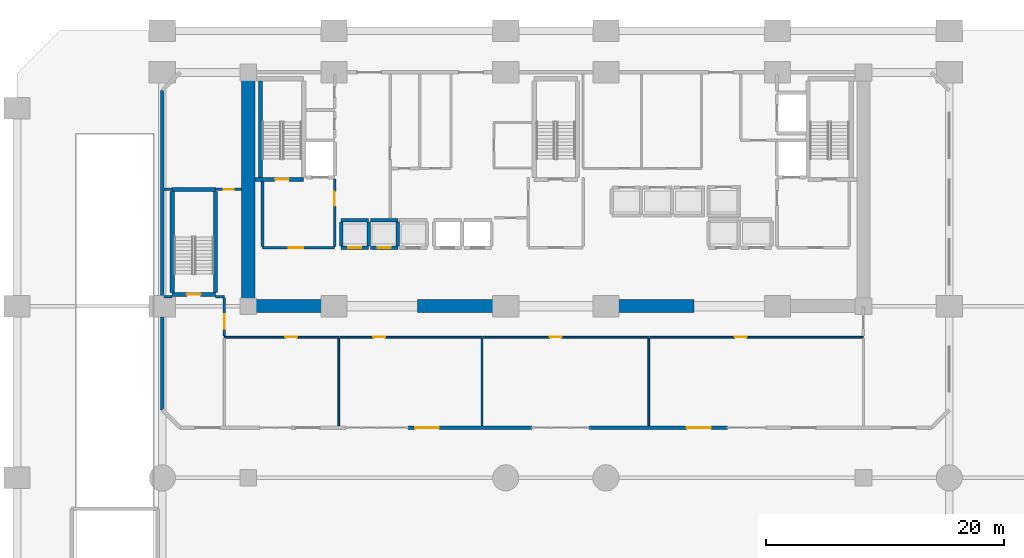
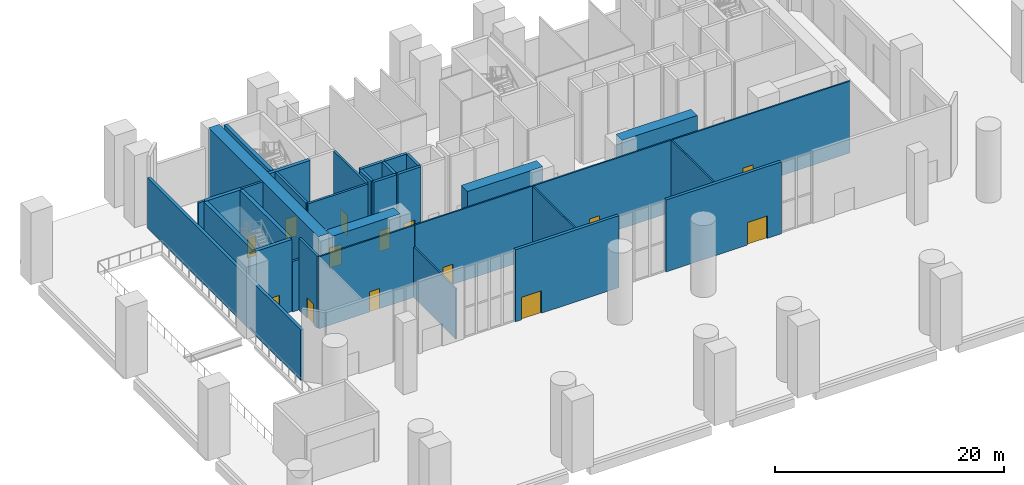
# One storey, part 10 of 17: 35 walls, 14 doors, 14 openings.
"""IFC4 building model written with IfcOpenShell, lengths in metres."""

from ifc_helpers import new_model, si_unit, direction, frame, frame_2d, origin, place, context, subcontext, project, spatial, rectangle, extrude, material, layer, layer_set, type_object, element, fill, save


model = new_model("IFC4")

# Units and contexts
model_context = context("Model", 3, precision=1e-05, world=origin(), true_north=direction((0.0, 1.0)))
body_context = subcontext(model_context, "Body", "Model", "MODEL_VIEW")
ifc_project = project(units=[si_unit("LENGTHUNIT", "METRE"), si_unit("AREAUNIT", "SQUARE_METRE"), si_unit("VOLUMEUNIT", "CUBIC_METRE"), si_unit("PLANEANGLEUNIT", "RADIAN"), si_unit("MASSUNIT", "GRAM", prefix="KILO")], contexts=[model_context])

# Site, building, storey
site_placement = place(None, origin())
site = spatial("IfcSite", under=ifc_project, at=site_placement, CompositionType="ELEMENT")
building_placement = place(site_placement, origin())
building = spatial("IfcBuilding", under=site, at=building_placement, Name="Kaelvorn Grand Hotel", CompositionType="ELEMENT")
storey_placement = place(building_placement, origin())
storey = spatial("IfcBuildingStorey", under=building, at=storey_placement, Name="L00", CompositionType="ELEMENT", Elevation=0.0)

# Walls
ifc_material_1 = material(Name="Concrete C80/95", Category="concrete")
ifc_layer_1 = layer(ifc_material_1, 1.10009765625)
ifc_layer_set_1 = layer_set([ifc_layer_1], Name="Concrete C80/95")
wall_type_1 = type_object("IfcWallType", Name="WL-CORE-1100-C80", PredefinedType="SHEAR", material=ifc_layer_set_1)
wall_1_placement = place(storey_placement, frame((16.199951171875, 29.39990234375, 0.0), z_axis=(0.0, 0.0, 1.0), x_axis=(0.0, 1.0, 0.0)))
element("IfcWall", 1, at=wall_1_placement, inside=storey, type_object=wall_type_1, Name="L00 Rear-Core West Shear Wall", PredefinedType="SHEAR", context=body_context, shape_type="SweptSolid", body=[
    extrude(rectangle(XDim=19.2001953125, YDim=1.10009765625, at=frame_2d((9.60009765625, 0.0))), origin(), (0.0, 0.0, 1.0), 7.679931640625),
])
wall_2_placement = place(storey_placement, frame((16.7548828125, 29.39990234375, 0.0), z_axis=(0.0, 0.0, 1.0), x_axis=(1.0, 0.0, 0.0)))
element("IfcWall", 2, at=wall_2_placement, inside=storey, type_object=wall_type_1, Name="L00 Rear-Core Coupled Shear Pier S1", PredefinedType="SHEAR", context=body_context, shape_type="SweptSolid", body=[
    extrude(rectangle(XDim=6.84521484375, YDim=1.10009765625, at=frame_2d((3.422607421875, 0.0))), origin(), (0.0, 0.0, 1.0), 7.679931640625),
])
for number, where, z_axis, x_axis, name in (
    (3, (30.39990234375, 29.39990234375, 0.0), (0.0, 0.0, 1.0), (1.0, 0.0, 0.0), "L00 Rear-Core Coupled Shear Pier S2"),
    (4, (46.0, 29.39990234375, 0.0), (0.0, 0.0, 1.0), (1.0, 0.0, 0.0), "L00 Rear-Core Coupled Shear Pier S3"),
):
    element("IfcWall", number, at=place(storey_placement, frame(where, z_axis=z_axis, x_axis=x_axis)), inside=storey, type_object=wall_type_1, Name=name, PredefinedType="SHEAR", context=body_context, shape_type="SweptSolid", body=[
        extrude(rectangle(XDim=7.60009765625, YDim=1.10009765625, at=frame_2d((3.800048828125, 0.0))), origin(), (0.0, 0.0, 1.0), 7.679931640625),
    ])

# Wall, opening, door
ifc_material_2 = material(Name="Concrete C40/50", Category="concrete")
ifc_layer_2 = layer(ifc_material_2, 0.300048828125)
ifc_layer_set_2 = layer_set([ifc_layer_2], Name="Concrete C40/50")
wall_type_2 = type_object("IfcWallType", Name="WL-EXT-300-C40", PredefinedType="SOLIDWALL", material=ifc_layer_set_2)
wall_3_placement = place(storey_placement, frame((56.405029296875, 19.199951171875, 0.0), z_axis=(0.0, 0.0, 1.0), x_axis=(-1.0, 0.0, 0.0)))
wall_3 = element("IfcWall", 5, at=wall_3_placement, inside=storey, type_object=wall_type_2, Name="L00 Ground Arrival Hall Exterior Wall 01 Pier 2", PredefinedType="SOLIDWALL", context=body_context, shape_type="SweptSolid", body=[
    extrude(rectangle(XDim=11.610107421875, YDim=0.300048828125, at=frame_2d((5.80517578125, 0.0))), origin(), (0.0, 0.0, 1.0), 7.679931640625),
])
opening_1_placement = place(wall_3_placement, frame((1.405029296875, 0.0, 0.0)))
opening_1 = element("IfcOpeningElement", 6, at=opening_1_placement, cuts=wall_3, Name="Opening DE1", PredefinedType="OPENING", context=body_context, shape_type="SweptSolid", body=[
    extrude(rectangle(XDim=2.0, YDim=2.39990234375, at=frame_2d((1.0, 1.199951171875))), frame((0.0, 0.16015625, 0.0), z_axis=(0.0, -1.0, 0.0), x_axis=(1.0, 0.0, 0.0)), (0.0, 0.0, 1.0), 0.320068359375),
])
ifc_material_3 = material(Name="Anodised Aluminium", Category="aluminium")
door_type_1 = type_object("IfcDoorType", Name="DR-EXT-EXIT-2000x2400", OperationType="DOUBLE_DOOR_SINGLE_SWING", PredefinedType="DOOR", material=ifc_material_3)
door_1_placement = place(opening_1_placement, origin())
door_1 = element("IfcDoor", 7, at=door_1_placement, inside=storey, type_object=door_type_1, Name="L00 Final Pedestrian Exit Double Door DE1-04", OperationType="DOUBLE_DOOR_SINGLE_SWING", OverallHeight=2.39990234375, OverallWidth=2.0, PredefinedType="DOOR", context=body_context, shape_type="SweptSolid", body=[
    extrude(rectangle(XDim=2.0, YDim=2.39990234375, at=frame_2d((1.0, 1.199951171875))), frame((0.0, 0.02490234375, 0.0), z_axis=(0.0, -1.0, 0.0), x_axis=(1.0, 0.0, 0.0)), (0.0, 0.0, 1.0), 0.050048828125),
])
fill(opening_1, door_1)

wall_4_placement = place(storey_placement, frame((40.0048828125, 19.199951171875, 0.0), z_axis=(0.0, 0.0, 1.0), x_axis=(-1.0, 0.0, 0.0)))
wall_4 = element("IfcWall", 8, at=wall_4_placement, inside=storey, type_object=wall_type_2, Name="L00 Ground Arrival Hall Exterior Wall 01 Pier 3", PredefinedType="SOLIDWALL", context=body_context, shape_type="SweptSolid", body=[
    extrude(rectangle(XDim=10.409912109375, YDim=0.300048828125, at=frame_2d((5.205078125, 0.0))), origin(), (0.0, 0.0, 1.0), 7.679931640625),
])
opening_2_placement = place(wall_4_placement, frame((7.804931640625, 0.0, 0.0)))
opening_2 = element("IfcOpeningElement", 9, at=opening_2_placement, cuts=wall_4, Name="Opening DE1", PredefinedType="OPENING", context=body_context, shape_type="SweptSolid", body=[
    extrude(rectangle(XDim=2.0, YDim=2.39990234375, at=frame_2d((1.0, 1.199951171875))), frame((0.0, 0.16015625, 0.0), z_axis=(0.0, -1.0, 0.0), x_axis=(1.0, 0.0, 0.0)), (0.0, 0.0, 1.0), 0.320068359375),
])
door_2_placement = place(opening_2_placement, origin())
door_2 = element("IfcDoor", 10, at=door_2_placement, inside=storey, type_object=door_type_1, Name="L00 Final Pedestrian Exit Double Door DE1-03", OperationType="DOUBLE_DOOR_SINGLE_SWING", OverallHeight=2.39990234375, OverallWidth=2.0, PredefinedType="DOOR", context=body_context, shape_type="SweptSolid", body=[
    extrude(rectangle(XDim=2.0, YDim=2.39990234375, at=frame_2d((1.0, 1.199951171875))), frame((0.0, 0.02490234375, 0.0), z_axis=(0.0, -1.0, 0.0), x_axis=(1.0, 0.0, 0.0)), (0.0, 0.0, 1.0), 0.050048828125),
])
fill(opening_2, door_2)

# Wall
wall_5_placement = place(storey_placement, frame((9.0, 47.5, 0.0), z_axis=(0.0, 0.0, 1.0), x_axis=(0.0, -1.0, 0.0)))
element("IfcWall", 11, at=wall_5_placement, inside=storey, type_object=wall_type_2, Name="L00 Ground Arrival Hall Exterior Wall 07", PredefinedType="SOLIDWALL", context=body_context, shape_type="SweptSolid", body=[
    extrude(rectangle(XDim=26.800048828125, YDim=0.300048828125, at=frame_2d((13.39990234375, 0.0))), origin(), (0.0, 0.0, 1.0), 5.39990234375),
])

# Wall, opening, door
ifc_material_4 = material(Name="Acoustic Gypsum & Stud Partition")
ifc_layer_3 = layer(ifc_material_4, 0.14990234375)
ifc_layer_set_3 = layer_set([ifc_layer_3], Name="Acoustic Gypsum & Stud Partition")
wall_type_3 = type_object("IfcWallType", Name="WL-PART-150-EI60", PredefinedType="PARTITIONING", material=ifc_layer_set_3)
wall_6_placement = place(storey_placement, frame((14.199951171875, 26.800048828125, 0.0), z_axis=(0.0, 0.0, 1.0), x_axis=(1.0, 0.0, 0.0)))
wall_6 = element("IfcWall", 12, at=wall_6_placement, inside=storey, type_object=wall_type_3, Name="L00 Ground Arrival Florist & Gift Boutique N Partition", PredefinedType="PARTITIONING", context=body_context, shape_type="SweptSolid", body=[
    extrude(rectangle(XDim=9.60009765625, YDim=0.14990234375, at=frame_2d((4.800048828125, 0.0))), origin(), (0.0, 0.0, 1.0), 7.679931640625),
])
opening_3_placement = place(wall_6_placement, frame((5.10009765625, 0.0, 0.0)))
opening_3 = element("IfcOpeningElement", 13, at=opening_3_placement, cuts=wall_6, Name="Opening DI3", PredefinedType="OPENING", context=body_context, shape_type="SweptSolid", body=[
    extrude(rectangle(XDim=1.0, YDim=2.14990234375, at=frame_2d((0.5, 1.074951171875))), frame((0.0, 0.0849609375, 0.0), z_axis=(0.0, -1.0, 0.0), x_axis=(1.0, 0.0, 0.0)), (0.0, 0.0, 1.0), 0.169921875),
])
ifc_material_5 = material(Name="Timber Veneer Fire Leaf", Category="wood")
door_type_2 = type_object("IfcDoorType", Name="DR-INT-GUEST-1000x2150", OperationType="NOTDEFINED", PredefinedType="DOOR", material=ifc_material_5)
door_3_placement = place(opening_3_placement, origin())
door_3 = element("IfcDoor", 14, at=door_3_placement, inside=storey, type_object=door_type_2, Name="L00 Ground Arrival Florist & Gift Boutique Door", OperationType="SINGLE_SWING_LEFT", OverallHeight=2.14990234375, OverallWidth=1.0, PredefinedType="DOOR", context=body_context, shape_type="SweptSolid", body=[
    extrude(rectangle(XDim=1.0, YDim=2.14990234375, at=frame_2d((0.5, 1.074951171875))), frame((0.0, 0.02490234375, 0.0), z_axis=(0.0, -1.0, 0.0), x_axis=(1.0, 0.0, 0.0)), (0.0, 0.0, 1.0), 0.050048828125),
])
fill(opening_3, door_3)

# Wall
wall_7_placement = place(storey_placement, frame((23.800048828125, 19.35498046875, 0.0), z_axis=(0.0, 0.0, 1.0), x_axis=(0.0, 1.0, 0.0)))
element("IfcWall", 15, at=wall_7_placement, inside=storey, type_object=wall_type_3, Name="L00 Ground Arrival Florist & Gift Boutique E Partition", PredefinedType="PARTITIONING", context=body_context, shape_type="SweptSolid", body=[
    extrude(rectangle(XDim=7.364990234375, YDim=0.14990234375, at=frame_2d((3.6826171875, 0.0))), origin(), (0.0, 0.0, 1.0), 5.39990234375),
])

# Wall, opening, door
wall_8_placement = place(storey_placement, frame((23.8798828125, 26.800048828125, 0.0), z_axis=(0.0, 0.0, 1.0), x_axis=(1.0, 0.0, 0.0)))
wall_8 = element("IfcWall", 16, at=wall_8_placement, inside=storey, type_object=wall_type_3, Name="L00 Grand Hotel Reception & Concierge Salon N Partition", PredefinedType="PARTITIONING", context=body_context, shape_type="SweptSolid", body=[
    extrude(rectangle(XDim=11.920166015625, YDim=0.14990234375, at=frame_2d((5.9599609375, 0.0))), origin(), (0.0, 0.0, 1.0), 7.679931640625),
])
opening_4_placement = place(wall_8_placement, frame((2.820068359375, 0.0, 0.0)))
opening_4 = element("IfcOpeningElement", 17, at=opening_4_placement, cuts=wall_8, Name="Opening DI3", PredefinedType="OPENING", context=body_context, shape_type="SweptSolid", body=[
    extrude(rectangle(XDim=1.0, YDim=2.14990234375, at=frame_2d((0.5, 1.074951171875))), frame((0.0, 0.0849609375, 0.0), z_axis=(0.0, -1.0, 0.0), x_axis=(1.0, 0.0, 0.0)), (0.0, 0.0, 1.0), 0.169921875),
])
door_4_placement = place(opening_4_placement, origin())
door_4 = element("IfcDoor", 18, at=door_4_placement, inside=storey, type_object=door_type_2, Name="L00 Grand Hotel Reception & Concierge Salon Door", OperationType="SINGLE_SWING_RIGHT", OverallHeight=2.14990234375, OverallWidth=1.0, PredefinedType="DOOR", context=body_context, shape_type="SweptSolid", body=[
    extrude(rectangle(XDim=1.0, YDim=2.14990234375, at=frame_2d((0.5, 1.074951171875))), frame((0.0, 0.02490234375, 0.0), z_axis=(0.0, -1.0, 0.0), x_axis=(1.0, 0.0, 0.0)), (0.0, 0.0, 1.0), 0.050048828125),
])
fill(opening_4, door_4)

# Wall
wall_9_placement = place(storey_placement, frame((35.800048828125, 19.35498046875, 0.0), z_axis=(0.0, 0.0, 1.0), x_axis=(0.0, 1.0, 0.0)))
element("IfcWall", 19, at=wall_9_placement, inside=storey, type_object=wall_type_3, Name="L00 Grand Hotel Reception & Concierge Salon E Partition", PredefinedType="PARTITIONING", context=body_context, shape_type="SweptSolid", body=[
    extrude(rectangle(XDim=7.364990234375, YDim=0.14990234375, at=frame_2d((3.6826171875, 0.0))), origin(), (0.0, 0.0, 1.0), 7.679931640625),
])

# Wall, opening, door
wall_10_placement = place(storey_placement, frame((35.8798828125, 26.800048828125, 0.0), z_axis=(0.0, 0.0, 1.0), x_axis=(1.0, 0.0, 0.0)))
wall_10 = element("IfcWall", 20, at=wall_10_placement, inside=storey, type_object=wall_type_3, Name="L00 VIP Check-In & Bell Luggage Lounge N Partition", PredefinedType="PARTITIONING", context=body_context, shape_type="SweptSolid", body=[
    extrude(rectangle(XDim=13.920166015625, YDim=0.14990234375, at=frame_2d((6.9599609375, 0.0))), origin(), (0.0, 0.0, 1.0), 7.679931640625),
])
opening_5_placement = place(wall_10_placement, frame((5.6201171875, 0.0, 0.0)))
opening_5 = element("IfcOpeningElement", 21, at=opening_5_placement, cuts=wall_10, Name="Opening DI3", PredefinedType="OPENING", context=body_context, shape_type="SweptSolid", body=[
    extrude(rectangle(XDim=1.0, YDim=2.14990234375, at=frame_2d((0.5, 1.074951171875))), frame((0.0, 0.0849609375, 0.0), z_axis=(0.0, -1.0, 0.0), x_axis=(1.0, 0.0, 0.0)), (0.0, 0.0, 1.0), 0.169921875),
])
door_5_placement = place(opening_5_placement, origin())
door_5 = element("IfcDoor", 22, at=door_5_placement, inside=storey, type_object=door_type_2, Name="L00 VIP Check-In & Bell Luggage Lounge Door", OperationType="SINGLE_SWING_LEFT", OverallHeight=2.14990234375, OverallWidth=1.0, PredefinedType="DOOR", context=body_context, shape_type="SweptSolid", body=[
    extrude(rectangle(XDim=1.0, YDim=2.14990234375, at=frame_2d((0.5, 1.074951171875))), frame((0.0, 0.02490234375, 0.0), z_axis=(0.0, -1.0, 0.0), x_axis=(1.0, 0.0, 0.0)), (0.0, 0.0, 1.0), 0.050048828125),
])
fill(opening_5, door_5)

# Wall
wall_11_placement = place(storey_placement, frame((49.800048828125, 19.35498046875, 0.0), z_axis=(0.0, 0.0, 1.0), x_axis=(0.0, 1.0, 0.0)))
element("IfcWall", 23, at=wall_11_placement, inside=storey, type_object=wall_type_3, Name="L00 VIP Check-In & Bell Luggage Lounge E Partition", PredefinedType="PARTITIONING", context=body_context, shape_type="SweptSolid", body=[
    extrude(rectangle(XDim=7.364990234375, YDim=0.14990234375, at=frame_2d((3.6826171875, 0.0))), origin(), (0.0, 0.0, 1.0), 7.679931640625),
])

# Wall, opening, door
wall_12_placement = place(storey_placement, frame((49.8798828125, 26.800048828125, 0.0), z_axis=(0.0, 0.0, 1.0), x_axis=(1.0, 0.0, 0.0)))
wall_12 = element("IfcWall", 24, at=wall_12_placement, inside=storey, type_object=wall_type_3, Name="L00 Public Observation Deck Ticketing & Gallery Salon N Partition", PredefinedType="PARTITIONING", context=body_context, shape_type="SweptSolid", body=[
    extrude(rectangle(XDim=17.920166015625, YDim=0.14990234375, at=frame_2d((8.9599609375, 0.0))), origin(), (0.0, 0.0, 1.0), 7.679931640625),
])
opening_6_placement = place(wall_12_placement, frame((7.1201171875, 0.0, 0.0)))
opening_6 = element("IfcOpeningElement", 25, at=opening_6_placement, cuts=wall_12, Name="Opening DI3", PredefinedType="OPENING", context=body_context, shape_type="SweptSolid", body=[
    extrude(rectangle(XDim=1.0, YDim=2.14990234375, at=frame_2d((0.5, 1.074951171875))), frame((0.0, 0.0849609375, 0.0), z_axis=(0.0, -1.0, 0.0), x_axis=(1.0, 0.0, 0.0)), (0.0, 0.0, 1.0), 0.169921875),
])
door_6_placement = place(opening_6_placement, origin())
door_6 = element("IfcDoor", 26, at=door_6_placement, inside=storey, type_object=door_type_2, Name="L00 Public Observation Deck Ticketing & Gallery Salon Door", OperationType="SINGLE_SWING_RIGHT", OverallHeight=2.14990234375, OverallWidth=1.0, PredefinedType="DOOR", context=body_context, shape_type="SweptSolid", body=[
    extrude(rectangle(XDim=1.0, YDim=2.14990234375, at=frame_2d((0.5, 1.074951171875))), frame((0.0, 0.02490234375, 0.0), z_axis=(0.0, -1.0, 0.0), x_axis=(1.0, 0.0, 0.0)), (0.0, 0.0, 1.0), 0.050048828125),
])
fill(opening_6, door_6)

ifc_layer_4 = layer(ifc_material_2, 0.219970703125)
ifc_layer_set_4 = layer_set([ifc_layer_4], Name="Concrete C40/50")
wall_type_4 = type_object("IfcWallType", Name="WL-PART-220-EI120", PredefinedType="PARTITIONING", material=ifc_layer_set_4)
wall_13_placement = place(storey_placement, frame((17.39990234375, 34.300048828125, 0.0), z_axis=(0.0, 0.0, 1.0), x_axis=(1.0, 0.0, 0.0)))
wall_13 = element("IfcWall", 27, at=wall_13_placement, inside=storey, type_object=wall_type_4, Name="L00 Firefighting Lift Lobby 1 S Partition", PredefinedType="PARTITIONING", context=body_context, shape_type="SweptSolid", body=[
    extrude(rectangle(XDim=6.050048828125, YDim=0.219970703125, at=frame_2d((3.02490234375, 0.0))), origin(), (0.0, 0.0, 1.0), 7.679931640625),
])
opening_7_placement = place(wall_13_placement, frame((2.199951171875, 0.0, 0.0)))
opening_7 = element("IfcOpeningElement", 28, at=opening_7_placement, cuts=wall_13, Name="Opening DI2", PredefinedType="OPENING", context=body_context, shape_type="SweptSolid", body=[
    extrude(rectangle(XDim=1.199951171875, YDim=2.14990234375, at=frame_2d((0.60009765625, 1.074951171875))), frame((0.0, 0.1201171875, 0.0), z_axis=(0.0, -1.0, 0.0), x_axis=(1.0, 0.0, 0.0)), (0.0, 0.0, 1.0), 0.239990234375),
])
door_type_3 = type_object("IfcDoorType", Name="DR-INT-FFLOB-1200x2150", OperationType="NOTDEFINED", PredefinedType="DOOR", material=ifc_material_5)
door_7_placement = place(opening_7_placement, origin())
door_7 = element("IfcDoor", 29, at=door_7_placement, inside=storey, type_object=door_type_3, Name="L00 Firefighting Lift Lobby 1 Door", OperationType="SINGLE_SWING_LEFT", OverallHeight=2.14990234375, OverallWidth=1.199951171875, PredefinedType="DOOR", context=body_context, shape_type="SweptSolid", body=[
    extrude(rectangle(XDim=1.199951171875, YDim=2.14990234375, at=frame_2d((0.60009765625, 1.074951171875))), frame((0.0, 0.02490234375, 0.0), z_axis=(0.0, -1.0, 0.0), x_axis=(1.0, 0.0, 0.0)), (0.0, 0.0, 1.0), 0.050048828125),
])
fill(opening_7, door_7)

# Wall
wall_14_placement = place(storey_placement, frame((17.39990234375, 34.4150390625, 0.0), z_axis=(0.0, 0.0, 1.0), x_axis=(0.0, 1.0, 0.0)))
element("IfcWall", 30, at=wall_14_placement, inside=storey, type_object=wall_type_4, Name="L00 Firefighting Lift Lobby 1 W Partition", PredefinedType="PARTITIONING", context=body_context, shape_type="SweptSolid", body=[
    extrude(rectangle(XDim=5.429931640625, YDim=0.219970703125, at=frame_2d((2.71484375, 0.0))), origin(), (0.0, 0.0, 1.0), 7.679931640625),
])

# Wall, opening, door
wall_15_placement = place(storey_placement, frame((23.449951171875, 34.4150390625, 0.0), z_axis=(0.0, 0.0, 1.0), x_axis=(0.0, 1.0, 0.0)))
wall_15 = element("IfcWall", 31, at=wall_15_placement, inside=storey, type_object=wall_type_4, Name="L00 Firefighting Lift Lobby 1 E Partition", PredefinedType="PARTITIONING", context=body_context, shape_type="SweptSolid", body=[
    extrude(rectangle(XDim=5.639892578125, YDim=0.219970703125, at=frame_2d((2.81982421875, 0.0))), origin(), (0.0, 0.0, 1.0), 7.679931640625),
])
opening_8_placement = place(wall_15_placement, frame((3.385009765625, 0.0, 0.0)))
opening_8 = element("IfcOpeningElement", 32, at=opening_8_placement, cuts=wall_15, Name="Opening DI2", PredefinedType="OPENING", context=body_context, shape_type="SweptSolid", body=[
    extrude(rectangle(XDim=1.199951171875, YDim=2.14990234375, at=frame_2d((0.60009765625, 1.074951171875))), frame((0.0, 0.1201171875, 0.0), z_axis=(0.0, -1.0, 0.0), x_axis=(1.0, 0.0, 0.0)), (0.0, 0.0, 1.0), 0.239990234375),
])
door_8_placement = place(opening_8_placement, origin())
door_8 = element("IfcDoor", 33, at=door_8_placement, inside=storey, type_object=door_type_3, Name="L00 Firefighting Lobby 1 Protected Exit Passage Door", OperationType="SINGLE_SWING_RIGHT", OverallHeight=2.14990234375, OverallWidth=1.199951171875, PredefinedType="DOOR", context=body_context, shape_type="SweptSolid", body=[
    extrude(rectangle(XDim=1.199951171875, YDim=2.14990234375, at=frame_2d((0.60009765625, 1.074951171875))), frame((0.0, 0.02490234375, 0.0), z_axis=(0.0, -1.0, 0.0), x_axis=(1.0, 0.0, 0.0)), (0.0, 0.0, 1.0), 0.050048828125),
])
fill(opening_8, door_8)

# Walls
wall_16_placement = place(storey_placement, frame((9.155029296875, 30.199951171875, 0.0), z_axis=(0.0, 0.0, 1.0), x_axis=(1.0, 0.0, 0.0)))
element("IfcWall", 34, at=wall_16_placement, inside=storey, type_object=wall_type_4, Name="L00 Protected Exit Stair ST4 Discharge Vestibule N Partition (1)", PredefinedType="PARTITIONING", context=body_context, shape_type="SweptSolid", body=[
    extrude(rectangle(XDim=0.659912109375, YDim=0.219970703125, at=frame_2d((0.330078125, 0.0))), origin(), (0.0, 0.0, 1.0), 7.679931640625),
])
wall_17_placement = place(storey_placement, frame((13.465087890625, 30.199951171875, 0.0), z_axis=(0.0, 0.0, 1.0), x_axis=(1.0, 0.0, 0.0)))
element("IfcWall", 35, at=wall_17_placement, inside=storey, type_object=wall_type_4, Name="L00 Protected Exit Stair ST4 Discharge Vestibule N Partition (2)", PredefinedType="PARTITIONING", context=body_context, shape_type="SweptSolid", body=[
    extrude(rectangle(XDim=0.73486328125, YDim=0.219970703125, at=frame_2d((0.367431640625, 0.0))), origin(), (0.0, 0.0, 1.0), 5.39990234375),
])

# Wall, opening, door
wall_18_placement = place(storey_placement, frame((14.199951171875, 26.8798828125, 0.0), z_axis=(0.0, 0.0, 1.0), x_axis=(0.0, 1.0, 0.0)))
wall_18 = element("IfcWall", 36, at=wall_18_placement, inside=storey, type_object=wall_type_4, Name="L00 Protected Exit Stair ST4 Discharge Vestibule E Partition", PredefinedType="PARTITIONING", context=body_context, shape_type="SweptSolid", body=[
    extrude(rectangle(XDim=3.205078125, YDim=0.219970703125, at=frame_2d((1.6025390625, 0.0))), origin(), (0.0, 0.0, 1.0), 7.679931640625),
])
opening_9_placement = place(wall_18_placement, frame((0.6201171875, 0.0, 0.0)))
opening_9 = element("IfcOpeningElement", 37, at=opening_9_placement, cuts=wall_18, Name="Opening DI2", PredefinedType="OPENING", context=body_context, shape_type="SweptSolid", body=[
    extrude(rectangle(XDim=1.199951171875, YDim=2.14990234375, at=frame_2d((0.60009765625, 1.074951171875))), frame((0.0, 0.1201171875, 0.0), z_axis=(0.0, -1.0, 0.0), x_axis=(1.0, 0.0, 0.0)), (0.0, 0.0, 1.0), 0.239990234375),
])
door_9_placement = place(opening_9_placement, origin())
door_9 = element("IfcDoor", 38, at=door_9_placement, inside=storey, type_object=door_type_3, Name="L00 Protected Exit Stair ST4 Discharge Vestibule Door", OperationType="SINGLE_SWING_LEFT", OverallHeight=2.14990234375, OverallWidth=1.199951171875, PredefinedType="DOOR", context=body_context, shape_type="SweptSolid", body=[
    extrude(rectangle(XDim=1.199951171875, YDim=2.14990234375, at=frame_2d((0.60009765625, 1.074951171875))), frame((0.0, 0.02490234375, 0.0), z_axis=(0.0, -1.0, 0.0), x_axis=(1.0, 0.0, 0.0)), (0.0, 0.0, 1.0), 0.050048828125),
])
fill(opening_9, door_9)

# Wall
wall_19_placement = place(storey_placement, frame((9.155029296875, 39.199951171875, 0.0), z_axis=(0.0, 0.0, 1.0), x_axis=(1.0, 0.0, 0.0)))
element("IfcWall", 39, at=wall_19_placement, inside=storey, type_object=wall_type_4, Name="L00 Fire Command Centre S Partition (1)", PredefinedType="PARTITIONING", context=body_context, shape_type="SweptSolid", body=[
    extrude(rectangle(XDim=0.659912109375, YDim=0.219970703125, at=frame_2d((0.330078125, 0.0))), origin(), (0.0, 0.0, 1.0), 7.679931640625),
])

# Wall, opening, door
wall_20_placement = place(storey_placement, frame((13.465087890625, 39.199951171875, 0.0), z_axis=(0.0, 0.0, 1.0), x_axis=(1.0, 0.0, 0.0)))
wall_20 = element("IfcWall", 40, at=wall_20_placement, inside=storey, type_object=wall_type_4, Name="L00 Fire Command Centre S Partition (2)", PredefinedType="PARTITIONING", context=body_context, shape_type="SweptSolid", body=[
    extrude(rectangle(XDim=2.179931640625, YDim=0.219970703125, at=frame_2d((1.08984375, 0.0))), origin(), (0.0, 0.0, 1.0), 7.679931640625),
])
opening_10_placement = place(wall_20_placement, frame((0.679931640625, 0.0, 0.0)))
opening_10 = element("IfcOpeningElement", 41, at=opening_10_placement, cuts=wall_20, Name="Opening DI7", PredefinedType="OPENING", context=body_context, shape_type="SweptSolid", body=[
    extrude(rectangle(XDim=0.85009765625, YDim=2.10009765625, at=frame_2d((0.425048828125, 1.050048828125))), frame((0.0, 0.1201171875, 0.0), z_axis=(0.0, -1.0, 0.0), x_axis=(1.0, 0.0, 0.0)), (0.0, 0.0, 1.0), 0.239990234375),
])
ifc_material_6 = material(Name="Powder-Coated Steel Leaf", Category="steel")
door_type_4 = type_object("IfcDoorType", Name="DR-INT-RISER-850x2100", OperationType="NOTDEFINED", PredefinedType="DOOR", material=ifc_material_6)
door_10_placement = place(opening_10_placement, origin())
door_10 = element("IfcDoor", 42, at=door_10_placement, inside=storey, type_object=door_type_4, Name="L00 Fire Command Centre Door", OperationType="SINGLE_SWING_RIGHT", OverallHeight=2.10009765625, OverallWidth=0.85009765625, PredefinedType="DOOR", context=body_context, shape_type="SweptSolid", body=[
    extrude(rectangle(XDim=0.85009765625, YDim=2.10009765625, at=frame_2d((0.425048828125, 1.050048828125))), frame((0.0, 0.02490234375, 0.0), z_axis=(0.0, -1.0, 0.0), x_axis=(1.0, 0.0, 0.0)), (0.0, 0.0, 1.0), 0.050048828125),
])
fill(opening_10, door_10)

ifc_material_7 = material(Name="Concrete C50/60", Category="concrete")
ifc_layer_5 = layer(ifc_material_7, 0.280029296875)
ifc_layer_set_5 = layer_set([ifc_layer_5], Name="Concrete C50/60")
wall_type_5 = type_object("IfcWallType", Name="WL-SHAFT-280-C50", PredefinedType="SHEAR", material=ifc_layer_set_5)
wall_21_placement = place(storey_placement, frame((24.0, 34.300048828125, 0.0), z_axis=(0.0, 0.0, 1.0), x_axis=(1.0, 0.0, 0.0)))
wall_21 = element("IfcWall", 43, at=wall_21_placement, inside=storey, type_object=wall_type_5, Name="L00 Lift PL-L1 Shaft South Wall", PredefinedType="SHEAR", context=body_context, shape_type="SweptSolid", body=[
    extrude(rectangle(XDim=2.300048828125, YDim=0.280029296875, at=frame_2d((1.14990234375, 0.0))), origin(), (0.0, 0.0, 1.0), 7.679931640625),
])
opening_11_placement = place(wall_21_placement, frame((0.60009765625, 0.0, 0.0)))
opening_11 = element("IfcOpeningElement", 44, at=opening_11_placement, cuts=wall_21, Name="Opening LD-PL-L1", PredefinedType="OPENING", context=body_context, shape_type="SweptSolid", body=[
    extrude(rectangle(XDim=1.10009765625, YDim=2.199951171875, at=frame_2d((0.550048828125, 1.10009765625))), frame((0.0, 0.14990234375, 0.0), z_axis=(0.0, -1.0, 0.0), x_axis=(1.0, 0.0, 0.0)), (0.0, 0.0, 1.0), 0.300048828125),
])
ifc_material_8 = material(Name="Stainless Steel", Category="steel")
door_type_5 = type_object("IfcDoorType", Name="DR-LIFT-PASS-1100x2200", OperationType="DOUBLE_DOOR_SLIDING", PredefinedType="DOOR", material=ifc_material_8)
door_11_placement = place(opening_11_placement, origin())
door_11 = element("IfcDoor", 45, at=door_11_placement, inside=storey, type_object=door_type_5, Name="L00 Lift PL-L1 Sliding Landing Door LD-PL-L1", OperationType="DOUBLE_DOOR_SLIDING", OverallHeight=2.199951171875, OverallWidth=1.10009765625, PredefinedType="DOOR", context=body_context, shape_type="SweptSolid", body=[
    extrude(rectangle(XDim=1.10009765625, YDim=2.199951171875, at=frame_2d((0.550048828125, 1.10009765625))), frame((0.0, 0.02490234375, 0.0), z_axis=(0.0, -1.0, 0.0), x_axis=(1.0, 0.0, 0.0)), (0.0, 0.0, 1.0), 0.050048828125),
])
fill(opening_11, door_11)

# Walls
wall_22_placement = place(storey_placement, frame((24.0, 36.60009765625, 0.0), z_axis=(0.0, 0.0, 1.0), x_axis=(1.0, 0.0, 0.0)))
element("IfcWall", 46, at=wall_22_placement, inside=storey, type_object=wall_type_5, Name="L00 Lift PL-L1 Shaft North Wall", PredefinedType="SHEAR", context=body_context, shape_type="SweptSolid", body=[
    extrude(rectangle(XDim=2.300048828125, YDim=0.280029296875, at=frame_2d((1.14990234375, 0.0))), origin(), (0.0, 0.0, 1.0), 7.679931640625),
])
for number, where, z_axis, x_axis, name in (
    (47, (24.0, 34.445068359375, 0.0), (0.0, 0.0, 1.0), (0.0, 1.0, 0.0), "L00 Lift PL-L1 Shaft West Wall"),
    (48, (26.300048828125, 34.445068359375, 0.0), (0.0, 0.0, 1.0), (0.0, 1.0, 0.0), "L00 Lift PL-L1 Shaft East Wall"),
):
    element("IfcWall", number, at=place(storey_placement, frame(where, z_axis=z_axis, x_axis=x_axis)), inside=storey, type_object=wall_type_5, Name=name, PredefinedType="SHEAR", context=body_context, shape_type="SweptSolid", body=[
        extrude(rectangle(XDim=2.010009765625, YDim=0.280029296875, at=frame_2d((1.0048828125, 0.0))), origin(), (0.0, 0.0, 1.0), 7.679931640625),
    ])

# Wall, opening, door
wall_23_placement = place(storey_placement, frame((26.449951171875, 34.300048828125, 0.0), z_axis=(0.0, 0.0, 1.0), x_axis=(1.0, 0.0, 0.0)))
wall_23 = element("IfcWall", 49, at=wall_23_placement, inside=storey, type_object=wall_type_5, Name="L00 Lift PL-L2 Shaft South Wall", PredefinedType="SHEAR", context=body_context, shape_type="SweptSolid", body=[
    extrude(rectangle(XDim=2.300048828125, YDim=0.280029296875, at=frame_2d((1.14990234375, 0.0))), origin(), (0.0, 0.0, 1.0), 7.679931640625),
])
opening_12_placement = place(wall_23_placement, frame((0.60009765625, 0.0, 0.0)))
opening_12 = element("IfcOpeningElement", 50, at=opening_12_placement, cuts=wall_23, Name="Opening LD-PL-L2", PredefinedType="OPENING", context=body_context, shape_type="SweptSolid", body=[
    extrude(rectangle(XDim=1.10009765625, YDim=2.199951171875, at=frame_2d((0.550048828125, 1.10009765625))), frame((0.0, 0.14990234375, 0.0), z_axis=(0.0, -1.0, 0.0), x_axis=(1.0, 0.0, 0.0)), (0.0, 0.0, 1.0), 0.300048828125),
])
door_12_placement = place(opening_12_placement, origin())
door_12 = element("IfcDoor", 51, at=door_12_placement, inside=storey, type_object=door_type_5, Name="L00 Lift PL-L2 Sliding Landing Door LD-PL-L2", OperationType="DOUBLE_DOOR_SLIDING", OverallHeight=2.199951171875, OverallWidth=1.10009765625, PredefinedType="DOOR", context=body_context, shape_type="SweptSolid", body=[
    extrude(rectangle(XDim=1.10009765625, YDim=2.199951171875, at=frame_2d((0.550048828125, 1.10009765625))), frame((0.0, 0.02490234375, 0.0), z_axis=(0.0, -1.0, 0.0), x_axis=(1.0, 0.0, 0.0)), (0.0, 0.0, 1.0), 0.050048828125),
])
fill(opening_12, door_12)

# Walls
wall_24_placement = place(storey_placement, frame((26.449951171875, 36.60009765625, 0.0), z_axis=(0.0, 0.0, 1.0), x_axis=(1.0, 0.0, 0.0)))
element("IfcWall", 52, at=wall_24_placement, inside=storey, type_object=wall_type_5, Name="L00 Lift PL-L2 Shaft North Wall", PredefinedType="SHEAR", context=body_context, shape_type="SweptSolid", body=[
    extrude(rectangle(XDim=2.300048828125, YDim=0.280029296875, at=frame_2d((1.14990234375, 0.0))), origin(), (0.0, 0.0, 1.0), 7.679931640625),
])
wall_25_placement = place(storey_placement, frame((28.75, 34.445068359375, 0.0), z_axis=(0.0, 0.0, 1.0), x_axis=(0.0, 1.0, 0.0)))
element("IfcWall", 53, at=wall_25_placement, inside=storey, type_object=wall_type_5, Name="L00 Lift PL-L2 Shaft East Wall", PredefinedType="SHEAR", context=body_context, shape_type="SweptSolid", body=[
    extrude(rectangle(XDim=2.010009765625, YDim=0.280029296875, at=frame_2d((1.0048828125, 0.0))), origin(), (0.0, 0.0, 1.0), 7.679931640625),
])

# Wall, opening, door
ifc_material_9 = material(Name="Concrete C60/75", Category="concrete")
ifc_layer_6 = layer(ifc_material_9, 0.35009765625)
ifc_layer_set_6 = layer_set([ifc_layer_6], Name="Concrete C60/75")
wall_type_6 = type_object("IfcWallType", Name="WL-SHAFT-350-C60", PredefinedType="SHEAR", material=ifc_layer_set_6)
wall_26_placement = place(storey_placement, frame((16.7548828125, 40.02490234375, 0.0), z_axis=(0.0, 0.0, 1.0), x_axis=(1.0, 0.0, 0.0)))
wall_26 = element("IfcWall", 54, at=wall_26_placement, inside=storey, type_object=wall_type_6, Name="L00 ST1 Stair Shaft South Wall", PredefinedType="SHEAR", context=body_context, shape_type="SweptSolid", body=[
    extrude(rectangle(XDim=4.10009765625, YDim=0.35009765625, at=frame_2d((2.050048828125, 0.0))), origin(), (0.0, 0.0, 1.0), 7.679931640625),
])
opening_13_placement = place(wall_26_placement, frame((1.7099609375, 0.0, 0.0)))
opening_13 = element("IfcOpeningElement", 55, at=opening_13_placement, cuts=wall_26, Name="Opening DI1", PredefinedType="OPENING", context=body_context, shape_type="SweptSolid", body=[
    extrude(rectangle(XDim=1.14990234375, YDim=2.14990234375, at=frame_2d((0.574951171875, 1.074951171875))), frame((0.0, 0.18505859375, 0.0), z_axis=(0.0, -1.0, 0.0), x_axis=(1.0, 0.0, 0.0)), (0.0, 0.0, 1.0), 0.3701171875),
])
door_type_6 = type_object("IfcDoorType", Name="DR-INT-STAIR-1150x2150", OperationType="NOTDEFINED", PredefinedType="DOOR", material=ifc_material_5)
door_13_placement = place(opening_13_placement, origin())
door_13 = element("IfcDoor", 56, at=door_13_placement, inside=storey, type_object=door_type_6, Name="L00 ST1 Exit Stair Fire Door", OperationType="SINGLE_SWING_LEFT", OverallHeight=2.14990234375, OverallWidth=1.14990234375, PredefinedType="DOOR", context=body_context, shape_type="SweptSolid", body=[
    extrude(rectangle(XDim=1.14990234375, YDim=2.14990234375, at=frame_2d((0.574951171875, 1.074951171875))), frame((0.0, 0.02490234375, 0.0), z_axis=(0.0, -1.0, 0.0), x_axis=(1.0, 0.0, 0.0)), (0.0, 0.0, 1.0), 0.050048828125),
])
fill(opening_13, door_13)

# Wall
wall_27_placement = place(storey_placement, frame((17.22509765625, 40.205078125, 0.0), z_axis=(0.0, 0.0, 1.0), x_axis=(0.0, 1.0, 0.0)))
element("IfcWall", 57, at=wall_27_placement, inside=storey, type_object=wall_type_6, Name="L00 ST1 Stair Shaft West Wall", PredefinedType="SHEAR", context=body_context, shape_type="SweptSolid", body=[
    extrude(rectangle(XDim=8.08984375, YDim=0.35009765625, at=frame_2d((4.044921875, 0.0))), origin(), (0.0, 0.0, 1.0), 7.679931640625),
])

# Wall, opening, door
wall_28_placement = place(storey_placement, frame((9.824951171875, 30.375, 0.0), z_axis=(0.0, 0.0, 1.0), x_axis=(1.0, 0.0, 0.0)))
wall_28 = element("IfcWall", 58, at=wall_28_placement, inside=storey, type_object=wall_type_6, Name="L00 ST4 Stair Shaft South Wall", PredefinedType="SHEAR", context=body_context, shape_type="SweptSolid", body=[
    extrude(rectangle(XDim=3.630126953125, YDim=0.35009765625, at=frame_2d((1.81494140625, 0.0))), origin(), (0.0, 0.0, 1.0), 7.679931640625),
])
opening_14_placement = place(wall_28_placement, frame((1.239990234375, 0.0, 0.0)))
opening_14 = element("IfcOpeningElement", 59, at=opening_14_placement, cuts=wall_28, Name="Opening DI1", PredefinedType="OPENING", context=body_context, shape_type="SweptSolid", body=[
    extrude(rectangle(XDim=1.14990234375, YDim=2.14990234375, at=frame_2d((0.574951171875, 1.074951171875))), frame((0.0, 0.18505859375, 0.0), z_axis=(0.0, -1.0, 0.0), x_axis=(1.0, 0.0, 0.0)), (0.0, 0.0, 1.0), 0.3701171875),
])
door_14_placement = place(opening_14_placement, origin())
door_14 = element("IfcDoor", 60, at=door_14_placement, inside=storey, type_object=door_type_6, Name="L00 ST4 Exit Stair Fire Door", OperationType="SINGLE_SWING_RIGHT", OverallHeight=2.14990234375, OverallWidth=1.14990234375, PredefinedType="DOOR", context=body_context, shape_type="SweptSolid", body=[
    extrude(rectangle(XDim=1.14990234375, YDim=2.14990234375, at=frame_2d((0.574951171875, 1.074951171875))), frame((0.0, 0.02490234375, 0.0), z_axis=(0.0, -1.0, 0.0), x_axis=(1.0, 0.0, 0.0)), (0.0, 0.0, 1.0), 0.050048828125),
])
fill(opening_14, door_14)

# Walls
wall_29_placement = place(storey_placement, frame((9.824951171875, 39.175048828125, 0.0), z_axis=(0.0, 0.0, 1.0), x_axis=(1.0, 0.0, 0.0)))
element("IfcWall", 61, at=wall_29_placement, inside=storey, type_object=wall_type_6, Name="L00 ST4 Stair Shaft North Wall", PredefinedType="SHEAR", context=body_context, shape_type="SweptSolid", body=[
    extrude(rectangle(XDim=3.630126953125, YDim=0.35009765625, at=frame_2d((1.81494140625, 0.0))), origin(), (0.0, 0.0, 1.0), 7.679931640625),
])
for number, where, z_axis, x_axis, name in (
    (62, (9.824951171875, 30.554931640625, 0.0), (0.0, 0.0, 1.0), (0.0, 1.0, 0.0), "L00 ST4 Stair Shaft West Wall"),
    (63, (13.455078125, 30.554931640625, 0.0), (0.0, 0.0, 1.0), (0.0, 1.0, 0.0), "L00 ST4 Stair Shaft East Wall"),
):
    element("IfcWall", number, at=place(storey_placement, frame(where, z_axis=z_axis, x_axis=x_axis)), inside=storey, type_object=wall_type_6, Name=name, PredefinedType="SHEAR", context=body_context, shape_type="SweptSolid", body=[
        extrude(rectangle(XDim=8.440185546875, YDim=0.35009765625, at=frame_2d((4.22021484375, 0.0))), origin(), (0.0, 0.0, 1.0), 7.679931640625),
    ])

save(model, "model.ifc")
